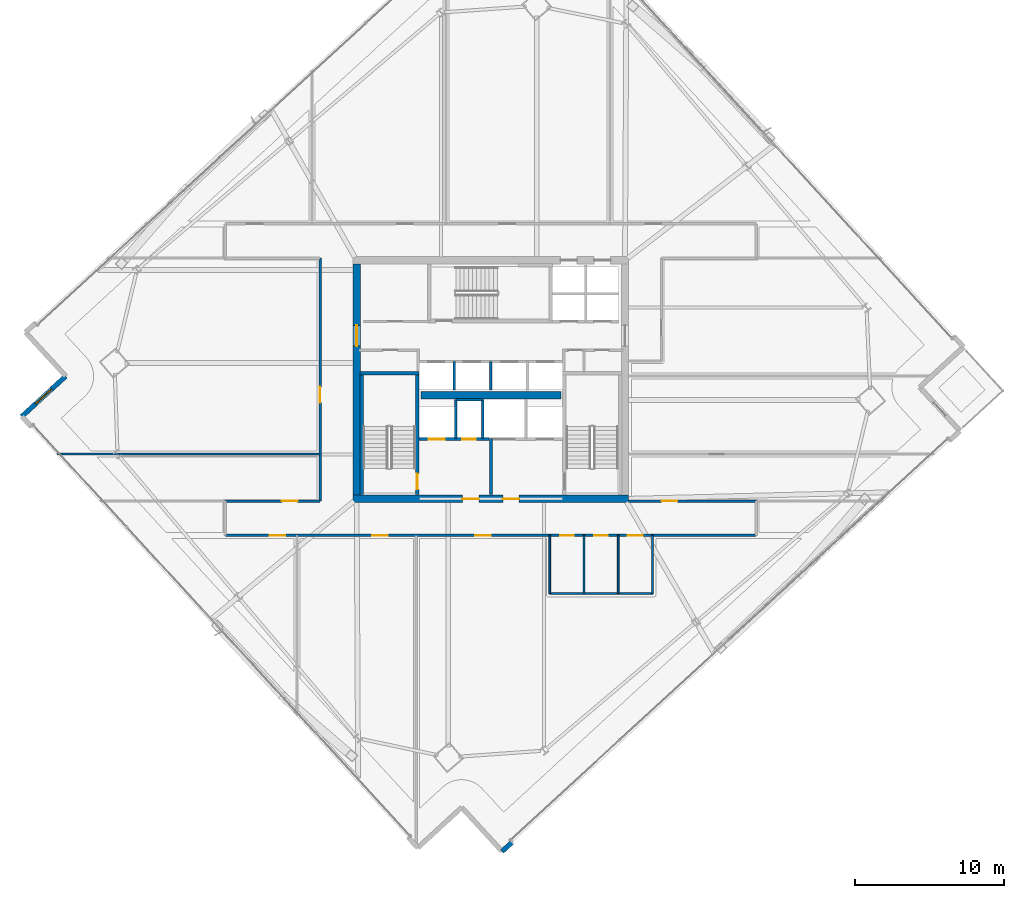
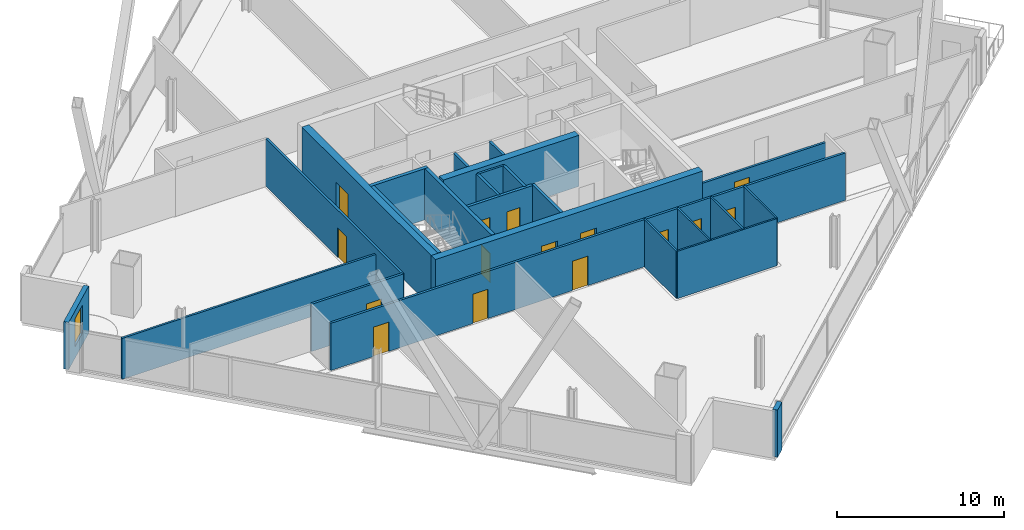
# One storey, part 25 of 32: 25 walls, 15 doors, 1 window, 16 openings.
"""IFC4 building model written with IfcOpenShell, lengths in metres."""

from ifc_helpers import new_model, si_unit, direction, frame, frame_2d, origin, place, context, subcontext, project, spatial, rectangle, extrude, material, layer, layer_set, type_object, element, fill, save


model = new_model("IFC4")

# Units and contexts
model_context = context("Model", 3, precision=1e-05, world=origin(), true_north=direction((0.0, 1.0)))
body_context = subcontext(model_context, "Body", "Model", "MODEL_VIEW")
ifc_project = project(units=[si_unit("LENGTHUNIT", "METRE"), si_unit("AREAUNIT", "SQUARE_METRE"), si_unit("VOLUMEUNIT", "CUBIC_METRE"), si_unit("PLANEANGLEUNIT", "RADIAN"), si_unit("MASSUNIT", "GRAM", prefix="KILO")], contexts=[model_context])

# Site, building, storey
site_placement = place(None, origin())
site = spatial("IfcSite", under=ifc_project, at=site_placement, CompositionType="ELEMENT")
building_placement = place(site_placement, origin())
building = spatial("IfcBuilding", under=site, at=building_placement, Name="Haldenkirk Collegiate Tower", CompositionType="ELEMENT")
storey_placement = place(building_placement, frame((0.0, 0.0, 170.699951171875)))
storey = spatial("IfcBuildingStorey", under=building, at=storey_placement, Name="L42", CompositionType="ELEMENT", Elevation=170.699951171875)

# Wall, openings, doors
ifc_material_1 = material(Name="Concrete f'c 55 MPa", Category="concrete")
ifc_layer_1 = layer(ifc_material_1, 0.5)
ifc_layer_set_1 = layer_set([ifc_layer_1], Name="Concrete f'c 55 MPa")
wall_type_1 = type_object("IfcWallType", Name="WL-CORE-500", PredefinedType="SHEAR", material=ifc_layer_set_1)
wall_1_placement = place(storey_placement, frame((26.75, 18.0, 0.0), z_axis=(0.0, 0.0, 1.0), x_axis=(1.0, 0.0, 0.0)))
wall_1 = element("IfcWall", 1, at=wall_1_placement, inside=storey, type_object=wall_type_1, Name="L42 central core shear wall S", PredefinedType="SHEAR", context=body_context, shape_type="SweptSolid", body=[
    extrude(rectangle(XDim=18.5, YDim=0.5, at=frame_2d((9.25, 0.0))), origin(), (0.0, 0.0, 1.0), 3.75),
])
opening_1_placement = place(wall_1_placement, frame((7.35009765625, 0.0, 0.0)))
opening_1 = element("IfcOpeningElement", 2, at=opening_1_placement, cuts=wall_1, Name="Opening D-02", PredefinedType="OPENING", context=body_context, shape_type="SweptSolid", body=[
    extrude(rectangle(XDim=1.10009765625, YDim=2.14990234375, at=frame_2d((0.550048828125, 1.074951171875))), frame((0.0, 0.260009765625, 0.0), z_axis=(0.0, -1.0, 0.0), x_axis=(1.0, 0.0, 0.0)), (0.0, 0.0, 1.0), 0.52001953125),
])
opening_2_placement = place(wall_1_placement, frame((10.050048828125, 0.0, 0.0)))
opening_2 = element("IfcOpeningElement", 3, at=opening_2_placement, cuts=wall_1, Name="Opening D-02", PredefinedType="OPENING", context=body_context, shape_type="SweptSolid", body=[
    extrude(rectangle(XDim=1.10009765625, YDim=2.14990234375, at=frame_2d((0.550048828125, 1.074951171875))), frame((0.0, 0.260009765625, 0.0), z_axis=(0.0, -1.0, 0.0), x_axis=(1.0, 0.0, 0.0)), (0.0, 0.0, 1.0), 0.52001953125),
])
ifc_material_2 = material(Name="Galvanized fire-rated hollow steel door", Category="steel")
ifc_layer_2 = layer(ifc_material_2, 0.06005859375)
ifc_layer_set_2 = layer_set([ifc_layer_2], Name="Galvanized fire-rated hollow steel door")
door_type_1 = type_object("IfcDoorType", Name="DR-STAIR-FD90-1100", OperationType="NOTDEFINED", PredefinedType="DOOR", material=ifc_layer_set_2)
door_1_placement = place(opening_1_placement, origin())
door_1 = element("IfcDoor", 4, at=door_1_placement, inside=storey, type_object=door_type_1, Name="L42 Firefighting Lobby 1 door", OperationType="SINGLE_SWING_LEFT", OverallHeight=2.14990234375, OverallWidth=1.10009765625, PredefinedType="DOOR", context=body_context, shape_type="SweptSolid", body=[
    extrude(rectangle(XDim=1.10009765625, YDim=2.14990234375, at=frame_2d((0.550048828125, 1.074951171875))), frame((0.0, 0.02490234375, 0.0), z_axis=(0.0, -1.0, 0.0), x_axis=(1.0, 0.0, 0.0)), (0.0, 0.0, 1.0), 0.050048828125),
])
fill(opening_1, door_1)
door_2_placement = place(opening_2_placement, origin())
door_2 = element("IfcDoor", 5, at=door_2_placement, inside=storey, type_object=door_type_1, Name="L42 Firefighting Lobby 2 door", OperationType="SINGLE_SWING_RIGHT", OverallHeight=2.14990234375, OverallWidth=1.10009765625, PredefinedType="DOOR", context=body_context, shape_type="SweptSolid", body=[
    extrude(rectangle(XDim=1.10009765625, YDim=2.14990234375, at=frame_2d((0.550048828125, 1.074951171875))), frame((0.0, 0.02490234375, 0.0), z_axis=(0.0, -1.0, 0.0), x_axis=(1.0, 0.0, 0.0)), (0.0, 0.0, 1.0), 0.050048828125),
])
fill(opening_2, door_2)

# Wall, opening, door
wall_2_placement = place(storey_placement, frame((27.0, 18.25, 0.0), z_axis=(0.0, 0.0, 1.0), x_axis=(0.0, 1.0, 0.0)))
wall_2 = element("IfcWall", 6, at=wall_2_placement, inside=storey, type_object=wall_type_1, Name="L42 central core shear wall W", PredefinedType="SHEAR", context=body_context, shape_type="SweptSolid", body=[
    extrude(rectangle(XDim=15.5, YDim=0.5, at=frame_2d((7.75, 0.0))), origin(), (0.0, 0.0, 1.0), 3.75),
])
opening_3_placement = place(wall_2_placement, frame((9.989990234375, 0.0, 0.0)))
opening_3 = element("IfcOpeningElement", 7, at=opening_3_placement, cuts=wall_2, Name="Opening D-03", PredefinedType="OPENING", context=body_context, shape_type="SweptSolid", body=[
    extrude(rectangle(XDim=1.39990234375, YDim=2.199951171875, at=frame_2d((0.699951171875, 1.10009765625))), frame((0.0, 0.260009765625, 0.0), z_axis=(0.0, -1.0, 0.0), x_axis=(1.0, 0.0, 0.0)), (0.0, 0.0, 1.0), 0.52001953125),
])
ifc_layer_3 = layer(ifc_material_2, 0.06005859375)
ifc_layer_set_3 = layer_set([ifc_layer_3], Name="Galvanized fire-rated hollow steel door")
door_type_2 = type_object("IfcDoorType", Name="DR-LOBBY-FD90-1400", OperationType="NOTDEFINED", PredefinedType="DOOR", material=ifc_layer_set_3)
door_3_placement = place(opening_3_placement, origin())
door_3 = element("IfcDoor", 8, at=door_3_placement, inside=storey, type_object=door_type_2, Name="L42 west lift lobby portal", OperationType="DOUBLE_DOOR_SINGLE_SWING", OverallHeight=2.199951171875, OverallWidth=1.39990234375, PredefinedType="DOOR", context=body_context, shape_type="SweptSolid", body=[
    extrude(rectangle(XDim=1.39990234375, YDim=2.199951171875, at=frame_2d((0.699951171875, 1.10009765625))), frame((0.0, 0.02490234375, 0.0), z_axis=(0.0, -1.0, 0.0), x_axis=(1.0, 0.0, 0.0)), (0.0, 0.0, 1.0), 0.050048828125),
])
fill(opening_3, door_3)

# Walls
wall_3_placement = place(storey_placement, frame((31.31005859375, 24.949951171875, 0.0), z_axis=(0.0, 0.0, 1.0), x_axis=(1.0, 0.0, 0.0)))
element("IfcWall", 9, at=wall_3_placement, inside=storey, type_object=wall_type_1, Name="L42 central core spine shear wall", PredefinedType="SHEAR", context=body_context, shape_type="SweptSolid", body=[
    extrude(rectangle(XDim=9.3798828125, YDim=0.5, at=frame_2d((4.68994140625, 0.0))), origin(), (0.0, 0.0, 1.0), 3.75),
])
ifc_material_3 = material(Name="Precast concrete f'c 40 MPa", Category="concrete")
ifc_layer_4 = layer(ifc_material_3, 0.320068359375)
ifc_layer_set_4 = layer_set([ifc_layer_4], Name="Precast concrete f'c 40 MPa")
wall_type_2 = type_object("IfcWallType", Name="WL-EXT-TWR-320", PredefinedType="STANDARD", material=ifc_layer_set_4)
wall_4_placement = place(storey_placement, frame((37.414306640625, -5.04248046875, 0.0), z_axis=(0.0, 0.0, 1.0), x_axis=(-0.736838742839, -0.676068537244, 0.0)))
element("IfcWall", 10, at=wall_4_placement, inside=storey, type_object=wall_type_2, Name="L42 precast corner pier SR", PredefinedType="STANDARD", context=body_context, shape_type="SweptSolid", body=[
    extrude(rectangle(XDim=0.89990234375, YDim=0.320068359375, at=frame_2d((0.449951171875, 0.0))), origin(), (0.0, 0.0, 1.0), 3.4599609375),
])

# Wall, opening, window
wall_5_placement = place(storey_placement, frame((4.54052734375, 23.524169921875, 0.0), z_axis=(0.0, 0.0, 1.0), x_axis=(0.736703001534, 0.676216450207, 0.0)))
wall_5 = element("IfcWall", 11, at=wall_5_placement, inside=storey, type_object=wall_type_2, Name="L42 bronze precast notch wall 09", PredefinedType="STANDARD", context=body_context, shape_type="SweptSolid", body=[
    extrude(rectangle(XDim=4.0, YDim=0.320068359375, at=frame_2d((2.0, 0.0))), origin(), (0.0, 0.0, 1.0), 3.4599609375),
])
opening_4_placement = place(wall_5_placement, frame((1.27490234375, 0.0, 0.85009765625)))
opening_4 = element("IfcOpeningElement", 12, at=opening_4_placement, cuts=wall_5, Name="Opening W-05", PredefinedType="OPENING", context=body_context, shape_type="SweptSolid", body=[
    extrude(rectangle(XDim=1.449951171875, YDim=2.050048828125, at=frame_2d((0.72509765625, 1.02490234375))), frame((0.0, 0.169921875, 0.0), z_axis=(0.0, -1.0, 0.0), x_axis=(1.0, 0.0, 0.0)), (0.0, 0.0, 1.0), 0.340087890625),
])
ifc_material_4 = material(Name="Low-E argon triple insulating glass", Category="glass")
ifc_layer_5 = layer(ifc_material_4, 0.090087890625)
ifc_layer_set_5 = layer_set([ifc_layer_5], Name="Low-E argon triple insulating glass")
window_type = type_object("IfcWindowType", Name="WN-Z3-1450X2050", PartitioningType="SINGLE_PANEL", PredefinedType="WINDOW", material=ifc_layer_set_5)
window_placement = place(opening_4_placement, origin())
window = element("IfcWindow", 13, at=window_placement, inside=storey, type_object=window_type, Name="L42 precast-frame academic window 8", OverallHeight=2.050048828125, OverallWidth=1.449951171875, PartitioningType="SINGLE_PANEL", PredefinedType="WINDOW", context=body_context, shape_type="SweptSolid", body=[
    extrude(rectangle(XDim=1.449951171875, YDim=2.050048828125, at=frame_2d((0.72509765625, 1.02490234375))), frame((0.0, 0.030029296875, 0.0), z_axis=(0.0, -1.0, 0.0), x_axis=(1.0, 0.0, 0.0)), (0.0, 0.0, 1.0), 0.06005859375),
])
fill(opening_4, window)

# Wall, openings, doors
ifc_material_5 = material(Name="Acoustic fire-rated gypsum partition", Category="concrete")
ifc_layer_6 = layer(ifc_material_5, 0.159912109375)
ifc_layer_set_6 = layer_set([ifc_layer_6], Name="Acoustic fire-rated gypsum partition")
wall_type_3 = type_object("IfcWallType", Name="WL-INT-CORR-160", PredefinedType="PARTITIONING", material=ifc_layer_set_6)
wall_6_placement = place(storey_placement, frame((18.199951171875, 15.550048828125, 0.0), z_axis=(0.0, 0.0, 1.0), x_axis=(1.0, 0.0, 0.0)))
wall_6 = element("IfcWall", 14, at=wall_6_placement, inside=storey, type_object=wall_type_3, Name="L42 interior partition IW-L42-CS", PredefinedType="PARTITIONING", context=body_context, shape_type="SweptSolid", body=[
    extrude(rectangle(XDim=35.60009765625, YDim=0.159912109375, at=frame_2d((17.800048828125, 0.0))), origin(), (0.0, 0.0, 1.0), 3.4599609375),
])
opening_5_placement = place(wall_6_placement, frame((22.449951171875, 0.0, 0.0)))
opening_5 = element("IfcOpeningElement", 15, at=opening_5_placement, cuts=wall_6, Name="Opening D-13", PredefinedType="OPENING", context=body_context, shape_type="SweptSolid", body=[
    extrude(rectangle(XDim=0.89990234375, YDim=2.14990234375, at=frame_2d((0.449951171875, 1.074951171875))), frame((0.0, 0.08984375, 0.0), z_axis=(0.0, -1.0, 0.0), x_axis=(1.0, 0.0, 0.0)), (0.0, 0.0, 1.0), 0.179931640625),
])
opening_6_placement = place(wall_6_placement, frame((24.75, 0.0, 0.0)))
opening_6 = element("IfcOpeningElement", 16, at=opening_6_placement, cuts=wall_6, Name="Opening D-13", PredefinedType="OPENING", context=body_context, shape_type="SweptSolid", body=[
    extrude(rectangle(XDim=0.89990234375, YDim=2.14990234375, at=frame_2d((0.449951171875, 1.074951171875))), frame((0.0, 0.08984375, 0.0), z_axis=(0.0, -1.0, 0.0), x_axis=(1.0, 0.0, 0.0)), (0.0, 0.0, 1.0), 0.179931640625),
])
opening_7_placement = place(wall_6_placement, frame((27.0, 0.0, 0.0)))
opening_7 = element("IfcOpeningElement", 17, at=opening_7_placement, cuts=wall_6, Name="Opening D-14", PredefinedType="OPENING", context=body_context, shape_type="SweptSolid", body=[
    extrude(rectangle(XDim=1.0, YDim=2.14990234375, at=frame_2d((0.5, 1.074951171875))), frame((0.0, 0.08984375, 0.0), z_axis=(0.0, -1.0, 0.0), x_axis=(1.0, 0.0, 0.0)), (0.0, 0.0, 1.0), 0.179931640625),
])
opening_8_placement = place(wall_6_placement, frame((2.965087890625, 0.0, 0.0)))
opening_8 = element("IfcOpeningElement", 18, at=opening_8_placement, cuts=wall_6, Name="Opening D-09", PredefinedType="OPENING", context=body_context, shape_type="SweptSolid", body=[
    extrude(rectangle(XDim=1.050048828125, YDim=2.14990234375, at=frame_2d((0.52490234375, 1.074951171875))), frame((0.0, 0.08984375, 0.0), z_axis=(0.0, -1.0, 0.0), x_axis=(1.0, 0.0, 0.0)), (0.0, 0.0, 1.0), 0.179931640625),
])
opening_9_placement = place(wall_6_placement, frame((9.8349609375, 0.0, 0.0)))
opening_9 = element("IfcOpeningElement", 19, at=opening_9_placement, cuts=wall_6, Name="Opening D-09", PredefinedType="OPENING", context=body_context, shape_type="SweptSolid", body=[
    extrude(rectangle(XDim=1.050048828125, YDim=2.14990234375, at=frame_2d((0.52490234375, 1.074951171875))), frame((0.0, 0.08984375, 0.0), z_axis=(0.0, -1.0, 0.0), x_axis=(1.0, 0.0, 0.0)), (0.0, 0.0, 1.0), 0.179931640625),
])
opening_10_placement = place(wall_6_placement, frame((16.739990234375, 0.0, 0.0)))
opening_10 = element("IfcOpeningElement", 20, at=opening_10_placement, cuts=wall_6, Name="Opening D-09", PredefinedType="OPENING", context=body_context, shape_type="SweptSolid", body=[
    extrude(rectangle(XDim=1.050048828125, YDim=2.14990234375, at=frame_2d((0.52490234375, 1.074951171875))), frame((0.0, 0.08984375, 0.0), z_axis=(0.0, -1.0, 0.0), x_axis=(1.0, 0.0, 0.0)), (0.0, 0.0, 1.0), 0.179931640625),
])
ifc_material_6 = material(Name="Solid-core architectural oak fire door", Category="wood")
ifc_layer_7 = layer(ifc_material_6, 0.06005859375)
ifc_layer_set_7 = layer_set([ifc_layer_7], Name="Solid-core architectural oak fire door")
door_type_3 = type_object("IfcDoorType", Name="DR-INT-ACC-1000", OperationType="NOTDEFINED", PredefinedType="DOOR", material=ifc_layer_set_7)
door_4_placement = place(opening_7_placement, origin())
door_4 = element("IfcDoor", 21, at=door_4_placement, inside=storey, type_object=door_type_3, Name="L42 Accessible WC door", OperationType="SINGLE_SWING_RIGHT", OverallHeight=2.14990234375, OverallWidth=1.0, PredefinedType="DOOR", context=body_context, shape_type="SweptSolid", body=[
    extrude(rectangle(XDim=1.0, YDim=2.14990234375, at=frame_2d((0.5, 1.074951171875))), frame((0.0, 0.02490234375, 0.0), z_axis=(0.0, -1.0, 0.0), x_axis=(1.0, 0.0, 0.0)), (0.0, 0.0, 1.0), 0.050048828125),
])
fill(opening_7, door_4)
ifc_layer_8 = layer(ifc_material_6, 0.06005859375)
ifc_layer_set_8 = layer_set([ifc_layer_8], Name="Solid-core architectural oak fire door")
door_type_4 = type_object("IfcDoorType", Name="DR-INT-FD60-1050", OperationType="NOTDEFINED", PredefinedType="DOOR", material=ifc_layer_set_8)
door_5_placement = place(opening_8_placement, origin())
door_5 = element("IfcDoor", 22, at=door_5_placement, inside=storey, type_object=door_type_4, Name="L42 Collegiate Commons Lounge 1 door", OperationType="SINGLE_SWING_LEFT", OverallHeight=2.14990234375, OverallWidth=1.050048828125, PredefinedType="DOOR", context=body_context, shape_type="SweptSolid", body=[
    extrude(rectangle(XDim=1.050048828125, YDim=2.14990234375, at=frame_2d((0.52490234375, 1.074951171875))), frame((0.0, 0.02490234375, 0.0), z_axis=(0.0, -1.0, 0.0), x_axis=(1.0, 0.0, 0.0)), (0.0, 0.0, 1.0), 0.050048828125),
])
fill(opening_8, door_5)
door_6_placement = place(opening_9_placement, origin())
door_6 = element("IfcDoor", 23, at=door_6_placement, inside=storey, type_object=door_type_4, Name="L42 Graduate Study Lounge 2 door", OperationType="SINGLE_SWING_RIGHT", OverallHeight=2.14990234375, OverallWidth=1.050048828125, PredefinedType="DOOR", context=body_context, shape_type="SweptSolid", body=[
    extrude(rectangle(XDim=1.050048828125, YDim=2.14990234375, at=frame_2d((0.52490234375, 1.074951171875))), frame((0.0, 0.02490234375, 0.0), z_axis=(0.0, -1.0, 0.0), x_axis=(1.0, 0.0, 0.0)), (0.0, 0.0, 1.0), 0.050048828125),
])
fill(opening_9, door_6)
door_7_placement = place(opening_10_placement, origin())
door_7 = element("IfcDoor", 24, at=door_7_placement, inside=storey, type_object=door_type_4, Name="L42 Faculty Club Lounge 3 door", OperationType="SINGLE_SWING_LEFT", OverallHeight=2.14990234375, OverallWidth=1.050048828125, PredefinedType="DOOR", context=body_context, shape_type="SweptSolid", body=[
    extrude(rectangle(XDim=1.050048828125, YDim=2.14990234375, at=frame_2d((0.52490234375, 1.074951171875))), frame((0.0, 0.02490234375, 0.0), z_axis=(0.0, -1.0, 0.0), x_axis=(1.0, 0.0, 0.0)), (0.0, 0.0, 1.0), 0.050048828125),
])
fill(opening_10, door_7)
ifc_layer_9 = layer(ifc_material_6, 0.06005859375)
ifc_layer_set_9 = layer_set([ifc_layer_9], Name="Solid-core architectural oak fire door")
door_type_5 = type_object("IfcDoorType", Name="DR-INT-STD-900", OperationType="NOTDEFINED", PredefinedType="DOOR", material=ifc_layer_set_9)
door_8_placement = place(opening_5_placement, origin())
door_8 = element("IfcDoor", 25, at=door_8_placement, inside=storey, type_object=door_type_5, Name="L42 Male WC door", OperationType="SINGLE_SWING_RIGHT", OverallHeight=2.14990234375, OverallWidth=0.89990234375, PredefinedType="DOOR", context=body_context, shape_type="SweptSolid", body=[
    extrude(rectangle(XDim=0.89990234375, YDim=2.14990234375, at=frame_2d((0.449951171875, 1.074951171875))), frame((0.0, 0.02490234375, 0.0), z_axis=(0.0, -1.0, 0.0), x_axis=(1.0, 0.0, 0.0)), (0.0, 0.0, 1.0), 0.050048828125),
])
fill(opening_5, door_8)
door_9_placement = place(opening_6_placement, origin())
door_9 = element("IfcDoor", 26, at=door_9_placement, inside=storey, type_object=door_type_5, Name="L42 Female WC door", OperationType="SINGLE_SWING_LEFT", OverallHeight=2.14990234375, OverallWidth=0.89990234375, PredefinedType="DOOR", context=body_context, shape_type="SweptSolid", body=[
    extrude(rectangle(XDim=0.89990234375, YDim=2.14990234375, at=frame_2d((0.449951171875, 1.074951171875))), frame((0.0, 0.02490234375, 0.0), z_axis=(0.0, -1.0, 0.0), x_axis=(1.0, 0.0, 0.0)), (0.0, 0.0, 1.0), 0.050048828125),
])
fill(opening_6, door_9)

# Wall, opening, door
wall_7_placement = place(storey_placement, frame((18.199951171875, 17.85009765625, 0.0), z_axis=(0.0, 0.0, 1.0), x_axis=(1.0, 0.0, 0.0)))
wall_7 = element("IfcWall", 27, at=wall_7_placement, inside=storey, type_object=wall_type_3, Name="L42 interior partition IW-L42-CSW", PredefinedType="PARTITIONING", context=body_context, shape_type="SweptSolid", body=[
    extrude(rectangle(XDim=6.35009765625, YDim=0.159912109375, at=frame_2d((3.175048828125, 0.0))), origin(), (0.0, 0.0, 1.0), 3.4599609375),
])
opening_11_placement = place(wall_7_placement, frame((3.79296875, 0.0, 0.0)))
opening_11 = element("IfcOpeningElement", 28, at=opening_11_placement, cuts=wall_7, Name="Opening D-09", PredefinedType="OPENING", context=body_context, shape_type="SweptSolid", body=[
    extrude(rectangle(XDim=1.050048828125, YDim=2.14990234375, at=frame_2d((0.52490234375, 1.074951171875))), frame((0.0, 0.08984375, 0.0), z_axis=(0.0, -1.0, 0.0), x_axis=(1.0, 0.0, 0.0)), (0.0, 0.0, 1.0), 0.179931640625),
])
door_10_placement = place(opening_11_placement, origin())
door_10 = element("IfcDoor", 29, at=door_10_placement, inside=storey, type_object=door_type_4, Name="L42 Graduate Study Lounge 8 door", OperationType="SINGLE_SWING_RIGHT", OverallHeight=2.14990234375, OverallWidth=1.050048828125, PredefinedType="DOOR", context=body_context, shape_type="SweptSolid", body=[
    extrude(rectangle(XDim=1.050048828125, YDim=2.14990234375, at=frame_2d((0.52490234375, 1.074951171875))), frame((0.0, 0.02490234375, 0.0), z_axis=(0.0, -1.0, 0.0), x_axis=(1.0, 0.0, 0.0)), (0.0, 0.0, 1.0), 0.050048828125),
])
fill(opening_11, door_10)

wall_8_placement = place(storey_placement, frame((45.25, 17.85009765625, 0.0), z_axis=(0.0, 0.0, 1.0), x_axis=(1.0, 0.0, 0.0)))
wall_8 = element("IfcWall", 30, at=wall_8_placement, inside=storey, type_object=wall_type_3, Name="L42 interior partition IW-L42-CSE", PredefinedType="PARTITIONING", context=body_context, shape_type="SweptSolid", body=[
    extrude(rectangle(XDim=8.550048828125, YDim=0.159912109375, at=frame_2d((4.27490234375, 0.0))), origin(), (0.0, 0.0, 1.0), 2.839111328125),
])
opening_12_placement = place(wall_8_placement, frame((2.2109375, 0.0, 0.0)))
opening_12 = element("IfcOpeningElement", 31, at=opening_12_placement, cuts=wall_8, Name="Opening D-09", PredefinedType="OPENING", context=body_context, shape_type="SweptSolid", body=[
    extrude(rectangle(XDim=1.050048828125, YDim=2.14990234375, at=frame_2d((0.52490234375, 1.074951171875))), frame((0.0, 0.08984375, 0.0), z_axis=(0.0, -1.0, 0.0), x_axis=(1.0, 0.0, 0.0)), (0.0, 0.0, 1.0), 0.179931640625),
])
door_11_placement = place(opening_12_placement, origin())
door_11 = element("IfcDoor", 32, at=door_11_placement, inside=storey, type_object=door_type_4, Name="L42 Case Method Seminar Room 10 door", OperationType="SINGLE_SWING_RIGHT", OverallHeight=2.14990234375, OverallWidth=1.050048828125, PredefinedType="DOOR", context=body_context, shape_type="SweptSolid", body=[
    extrude(rectangle(XDim=1.050048828125, YDim=2.14990234375, at=frame_2d((0.52490234375, 1.074951171875))), frame((0.0, 0.02490234375, 0.0), z_axis=(0.0, -1.0, 0.0), x_axis=(1.0, 0.0, 0.0)), (0.0, 0.0, 1.0), 0.050048828125),
])
fill(opening_12, door_11)

wall_9_placement = place(storey_placement, frame((24.550048828125, 17.85009765625, 0.0), z_axis=(0.0, 0.0, 1.0), x_axis=(0.0, 1.0, 0.0)))
wall_9 = element("IfcWall", 33, at=wall_9_placement, inside=storey, type_object=wall_type_3, Name="L42 interior partition IW-L42-CW", PredefinedType="PARTITIONING", context=body_context, shape_type="SweptSolid", body=[
    extrude(rectangle(XDim=16.2998046875, YDim=0.159912109375, at=frame_2d((8.14990234375, 0.0))), origin(), (0.0, 0.0, 1.0), 3.4599609375),
])
opening_13_placement = place(wall_9_placement, frame((6.60693359375, 0.0, 0.0)))
opening_13 = element("IfcOpeningElement", 34, at=opening_13_placement, cuts=wall_9, Name="Opening D-09", PredefinedType="OPENING", context=body_context, shape_type="SweptSolid", body=[
    extrude(rectangle(XDim=1.050048828125, YDim=2.14990234375, at=frame_2d((0.52490234375, 1.074951171875))), frame((0.0, 0.08984375, 0.0), z_axis=(0.0, -1.0, 0.0), x_axis=(1.0, 0.0, 0.0)), (0.0, 0.0, 1.0), 0.179931640625),
])
door_12_placement = place(opening_13_placement, origin())
door_12 = element("IfcDoor", 35, at=door_12_placement, inside=storey, type_object=door_type_4, Name="L42 Faculty Club Lounge 9 door", OperationType="SINGLE_SWING_LEFT", OverallHeight=2.14990234375, OverallWidth=1.050048828125, PredefinedType="DOOR", context=body_context, shape_type="SweptSolid", body=[
    extrude(rectangle(XDim=1.050048828125, YDim=2.14990234375, at=frame_2d((0.52490234375, 1.074951171875))), frame((0.0, 0.02490234375, 0.0), z_axis=(0.0, -1.0, 0.0), x_axis=(1.0, 0.0, 0.0)), (0.0, 0.0, 1.0), 0.050048828125),
])
fill(opening_13, door_12)

# Walls
ifc_layer_10 = layer(ifc_material_5, 0.139892578125)
ifc_layer_set_10 = layer_set([ifc_layer_10], Name="Acoustic fire-rated gypsum partition")
wall_type_4 = type_object("IfcWallType", Name="WL-INT-DIV-140", PredefinedType="PARTITIONING", material=ifc_layer_set_10)
wall_10_placement = place(storey_placement, frame((6.912109375, 21.0, 0.0), z_axis=(0.0, 0.0, 1.0), x_axis=(1.0, 0.0, 0.0)))
element("IfcWall", 36, at=wall_10_placement, inside=storey, type_object=wall_type_4, Name="L42 interior partition IW-L42-RW1", PredefinedType="PARTITIONING", context=body_context, shape_type="SweptSolid", body=[
    extrude(rectangle(XDim=17.637939453125, YDim=0.139892578125, at=frame_2d((8.81884765625, 0.0))), origin(), (0.0, 0.0, 1.0), 2.998046875),
])
ifc_material_7 = material(Name="Fire-rated gypsum shaftboard assembly", Category="concrete")
ifc_layer_11 = layer(ifc_material_7, 0.179931640625)
ifc_layer_set_11 = layer_set([ifc_layer_11], Name="Fire-rated gypsum shaftboard assembly")
wall_type_5 = type_object("IfcWallType", Name="WL-INT-SHAFT-180", PredefinedType="PARTITIONING", material=ifc_layer_set_11)
for number, where, z_axis, x_axis, name in (
    (37, (33.64990234375, 22.050048828125, 0.0), (0.0, 0.0, 1.0), (0.0, 1.0, 0.0), "L42 interior partition IW-L42-FL1E"),
    (38, (35.449951171875, 22.050048828125, 0.0), (0.0, 0.0, 1.0), (0.0, 1.0, 0.0), "L42 interior partition IW-L42-GL1W"),
):
    element("IfcWall", number, at=place(storey_placement, frame(where, z_axis=z_axis, x_axis=x_axis)), inside=storey, type_object=wall_type_5, Name=name, PredefinedType="PARTITIONING", context=body_context, shape_type="SweptSolid", body=[
        extrude(rectangle(XDim=2.599853515625, YDim=0.179931640625, at=frame_2d((1.2998046875, 0.0))), origin(), (0.0, 0.0, 1.0), 3.4599609375),
    ])
wall_11_placement = place(storey_placement, frame((33.64990234375, 24.64990234375, 0.0), z_axis=(0.0, 0.0, 1.0), x_axis=(1.0, 0.0, 0.0)))
element("IfcWall", 39, at=wall_11_placement, inside=storey, type_object=wall_type_5, Name="L42 interior partition IW-L42-RSRN", PredefinedType="PARTITIONING", context=body_context, shape_type="SweptSolid", body=[
    extrude(rectangle(XDim=1.800048828125, YDim=0.179931640625, at=frame_2d((0.89990234375, 0.0))), origin(), (0.0, 0.0, 1.0), 3.4599609375),
])
for number, where, z_axis, x_axis, name in (
    (40, (33.5400390625, 25.300048828125, 0.0), (0.0, 0.0, 1.0), (0.0, 1.0, 0.0), "L42 interior partition IW-L42-PHV1"),
    (41, (36.0, 25.300048828125, 0.0), (0.0, 0.0, 1.0), (0.0, 1.0, 0.0), "L42 interior partition IW-L42-PHV2"),
):
    element("IfcWall", number, at=place(storey_placement, frame(where, z_axis=z_axis, x_axis=x_axis)), inside=storey, type_object=wall_type_5, Name=name, PredefinedType="PARTITIONING", context=body_context, shape_type="SweptSolid", body=[
        extrude(rectangle(XDim=1.89990234375, YDim=0.179931640625, at=frame_2d((0.949951171875, 0.0))), origin(), (0.0, 0.0, 1.0), 3.4599609375),
    ])
ifc_layer_12 = layer(ifc_material_7, 0.199951171875)
ifc_layer_set_12 = layer_set([ifc_layer_12], Name="Fire-rated gypsum shaftboard assembly")
wall_type_6 = type_object("IfcWallType", Name="WL-INT-SHAFT-200", PredefinedType="PARTITIONING", material=ifc_layer_set_12)
wall_12_placement = place(storey_placement, frame((36.0, 18.280029296875, 0.0), z_axis=(0.0, 0.0, 1.0), x_axis=(0.0, 1.0, 0.0)))
element("IfcWall", 42, at=wall_12_placement, inside=storey, type_object=wall_type_6, Name="L42 interior partition IW-L42-FFLM", PredefinedType="PARTITIONING", context=body_context, shape_type="SweptSolid", body=[
    extrude(rectangle(XDim=3.77001953125, YDim=0.199951171875, at=frame_2d((1.885009765625, 0.0))), origin(), (0.0, 0.0, 1.0), 3.4599609375),
])

# Wall, openings, doors
wall_13_placement = place(storey_placement, frame((31.18994140625, 22.0, 0.0), z_axis=(0.0, 0.0, 1.0), x_axis=(1.0, 0.0, 0.0)))
wall_13 = element("IfcWall", 43, at=wall_13_placement, inside=storey, type_object=wall_type_6, Name="L42 interior partition IW-L42-FFL1N", PredefinedType="PARTITIONING", context=body_context, shape_type="SweptSolid", body=[
    extrude(rectangle(XDim=4.68994140625, YDim=0.199951171875, at=frame_2d((2.344970703125, 0.0))), origin(), (0.0, 0.0, 1.0), 3.4599609375),
])
opening_14_placement = place(wall_13_placement, frame((2.909912109375, 0.0, 0.0)))
opening_14 = element("IfcOpeningElement", 44, at=opening_14_placement, cuts=wall_13, Name="Opening D-06", PredefinedType="OPENING", context=body_context, shape_type="SweptSolid", body=[
    extrude(rectangle(XDim=0.89990234375, YDim=2.14990234375, at=frame_2d((0.449951171875, 1.074951171875))), frame((0.0, 0.10986328125, 0.0), z_axis=(0.0, -1.0, 0.0), x_axis=(1.0, 0.0, 0.0)), (0.0, 0.0, 1.0), 0.219970703125),
])
opening_15_placement = place(wall_13_placement, frame((0.635009765625, 0.0, 0.0)))
opening_15 = element("IfcOpeningElement", 45, at=opening_15_placement, cuts=wall_13, Name="Opening LD-12", PredefinedType="OPENING", context=body_context, shape_type="SweptSolid", body=[
    extrude(rectangle(XDim=1.10009765625, YDim=2.14990234375, at=frame_2d((0.550048828125, 1.074951171875))), frame((0.0, 0.10986328125, 0.0), z_axis=(0.0, -1.0, 0.0), x_axis=(1.0, 0.0, 0.0)), (0.0, 0.0, 1.0), 0.219970703125),
])
ifc_layer_13 = layer(ifc_material_2, 0.06005859375)
ifc_layer_set_13 = layer_set([ifc_layer_13], Name="Galvanized fire-rated hollow steel door")
door_type_6 = type_object("IfcDoorType", Name="DR-INT-FD90-900", OperationType="NOTDEFINED", PredefinedType="DOOR", material=ifc_layer_set_13)
door_13_placement = place(opening_14_placement, origin())
door_13 = element("IfcDoor", 46, at=door_13_placement, inside=storey, type_object=door_type_6, Name="L42 electrical riser door", OperationType="SINGLE_SWING_LEFT", OverallHeight=2.14990234375, OverallWidth=0.89990234375, PredefinedType="DOOR", context=body_context, shape_type="SweptSolid", body=[
    extrude(rectangle(XDim=0.89990234375, YDim=2.14990234375, at=frame_2d((0.449951171875, 1.074951171875))), frame((0.0, 0.02490234375, 0.0), z_axis=(0.0, -1.0, 0.0), x_axis=(1.0, 0.0, 0.0)), (0.0, 0.0, 1.0), 0.050048828125),
])
fill(opening_14, door_13)
ifc_material_8 = material(Name="Brushed architectural stainless steel", Category="steel")
ifc_layer_14 = layer(ifc_material_8, 0.06005859375)
ifc_layer_set_14 = layer_set([ifc_layer_14], Name="Brushed architectural stainless steel")
door_type_7 = type_object("IfcDoorType", Name="LD-FIRE-1100", OperationType="NOTDEFINED", PredefinedType="DOOR", material=ifc_layer_set_14)
door_14_placement = place(opening_15_placement, origin())
door_14 = element("IfcDoor", 47, at=door_14_placement, inside=storey, type_object=door_type_7, Name="L42 Elevator FL1 sliding landing door", OperationType="SLIDING_TO_LEFT", OverallHeight=2.14990234375, OverallWidth=1.10009765625, PredefinedType="DOOR", context=body_context, shape_type="SweptSolid", body=[
    extrude(rectangle(XDim=1.10009765625, YDim=2.14990234375, at=frame_2d((0.550048828125, 1.074951171875))), frame((0.0, 0.02490234375, 0.0), z_axis=(0.0, -1.0, 0.0), x_axis=(1.0, 0.0, 0.0)), (0.0, 0.0, 1.0), 0.050048828125),
])
fill(opening_15, door_14)

# Walls
ifc_layer_15 = layer(ifc_material_5, 0.1201171875)
ifc_layer_set_15 = layer_set([ifc_layer_15], Name="Acoustic fire-rated gypsum partition")
wall_type_7 = type_object("IfcWallType", Name="WL-INT-WET-120", PredefinedType="PARTITIONING", material=ifc_layer_set_15)
for number, where, z_axis, x_axis, name in (
    (48, (39.949951171875, 11.64990234375, 0.0), (0.0, 0.0, 1.0), (0.0, 1.0, 0.0), "L42 interior partition IW-L42-WCW"),
    (49, (42.25, 11.64990234375, 0.0), (0.0, 0.0, 1.0), (0.0, 1.0, 0.0), "L42 interior partition IW-L42-WC1"),
    (50, (44.550048828125, 11.64990234375, 0.0), (0.0, 0.0, 1.0), (0.0, 1.0, 0.0), "L42 interior partition IW-L42-WC2"),
    (51, (46.85009765625, 11.64990234375, 0.0), (0.0, 0.0, 1.0), (0.0, 1.0, 0.0), "L42 interior partition IW-L42-WCE"),
):
    element("IfcWall", number, at=place(storey_placement, frame(where, z_axis=z_axis, x_axis=x_axis)), inside=storey, type_object=wall_type_7, Name=name, PredefinedType="PARTITIONING", context=body_context, shape_type="SweptSolid", body=[
        extrude(rectangle(XDim=3.900146484375, YDim=0.1201171875, at=frame_2d((1.9501953125, 0.0))), origin(), (0.0, 0.0, 1.0), 3.4599609375),
    ])
wall_14_placement = place(storey_placement, frame((39.949951171875, 11.64990234375, 0.0), z_axis=(0.0, 0.0, 1.0), x_axis=(1.0, 0.0, 0.0)))
element("IfcWall", 52, at=wall_14_placement, inside=storey, type_object=wall_type_7, Name="L42 interior partition IW-L42-WCB", PredefinedType="PARTITIONING", context=body_context, shape_type="SweptSolid", body=[
    extrude(rectangle(XDim=6.900146484375, YDim=0.1201171875, at=frame_2d((3.4501953125, 0.0))), origin(), (0.0, 0.0, 1.0), 3.4599609375),
])

# Wall, opening, door
ifc_layer_16 = layer(ifc_material_1, 0.239990234375)
ifc_layer_set_16 = layer_set([ifc_layer_16], Name="Concrete f'c 55 MPa")
wall_type_8 = type_object("IfcWallType", Name="WL-SHAFT-240", PredefinedType="SHEAR", material=ifc_layer_set_16)
wall_15_placement = place(storey_placement, frame((31.070068359375, 18.280029296875, 0.0), z_axis=(0.0, 0.0, 1.0), x_axis=(0.0, 1.0, 0.0)))
wall_15 = element("IfcWall", 53, at=wall_15_placement, inside=storey, type_object=wall_type_8, Name="L42 stair shaft shear wall SW-L42-ST1E", PredefinedType="SHEAR", context=body_context, shape_type="SweptSolid", body=[
    extrude(rectangle(XDim=8.260009765625, YDim=0.239990234375, at=frame_2d((4.1298828125, 0.0))), origin(), (0.0, 0.0, 1.0), 3.75),
])
opening_16_placement = place(wall_15_placement, frame((0.364990234375, 0.0, 0.0)))
opening_16 = element("IfcOpeningElement", 54, at=opening_16_placement, cuts=wall_15, Name="Opening D-01", PredefinedType="OPENING", context=body_context, shape_type="SweptSolid", body=[
    extrude(rectangle(XDim=1.050048828125, YDim=2.14990234375, at=frame_2d((0.52490234375, 1.074951171875))), frame((0.0, 0.1298828125, 0.0), z_axis=(0.0, -1.0, 0.0), x_axis=(1.0, 0.0, 0.0)), (0.0, 0.0, 1.0), 0.260009765625),
])
ifc_layer_17 = layer(ifc_material_2, 0.06005859375)
ifc_layer_set_17 = layer_set([ifc_layer_17], Name="Galvanized fire-rated hollow steel door")
door_type_8 = type_object("IfcDoorType", Name="DR-STAIR-FD90-1050", OperationType="NOTDEFINED", PredefinedType="DOOR", material=ifc_layer_set_17)
door_15_placement = place(opening_16_placement, origin())
door_15 = element("IfcDoor", 55, at=door_15_placement, inside=storey, type_object=door_type_8, Name="L42 Stair 1 door", OperationType="SINGLE_SWING_LEFT", OverallHeight=2.14990234375, OverallWidth=1.050048828125, PredefinedType="DOOR", context=body_context, shape_type="SweptSolid", body=[
    extrude(rectangle(XDim=1.050048828125, YDim=2.14990234375, at=frame_2d((0.52490234375, 1.074951171875))), frame((0.0, 0.02490234375, 0.0), z_axis=(0.0, -1.0, 0.0), x_axis=(1.0, 0.0, 0.0)), (0.0, 0.0, 1.0), 0.050048828125),
])
fill(opening_16, door_15)

# Walls
wall_16_placement = place(storey_placement, frame((27.2099609375, 26.419921875, 0.0), z_axis=(0.0, 0.0, 1.0), x_axis=(1.0, 0.0, 0.0)))
element("IfcWall", 56, at=wall_16_placement, inside=storey, type_object=wall_type_8, Name="L42 stair shaft shear wall SW-L42-ST1N", PredefinedType="SHEAR", context=body_context, shape_type="SweptSolid", body=[
    extrude(rectangle(XDim=3.97998046875, YDim=0.239990234375, at=frame_2d((1.989990234375, 0.0))), origin(), (0.0, 0.0, 1.0), 3.75),
])
wall_17_placement = place(storey_placement, frame((27.330078125, 18.280029296875, 0.0), z_axis=(0.0, 0.0, 1.0), x_axis=(0.0, 1.0, 0.0)))
element("IfcWall", 57, at=wall_17_placement, inside=storey, type_object=wall_type_8, Name="L42 stair shaft shear wall SW-L42-ST1W", PredefinedType="SHEAR", context=body_context, shape_type="SweptSolid", body=[
    extrude(rectangle(XDim=8.260009765625, YDim=0.239990234375, at=frame_2d((4.1298828125, 0.0))), origin(), (0.0, 0.0, 1.0), 3.75),
])

save(model, "model.ifc")
